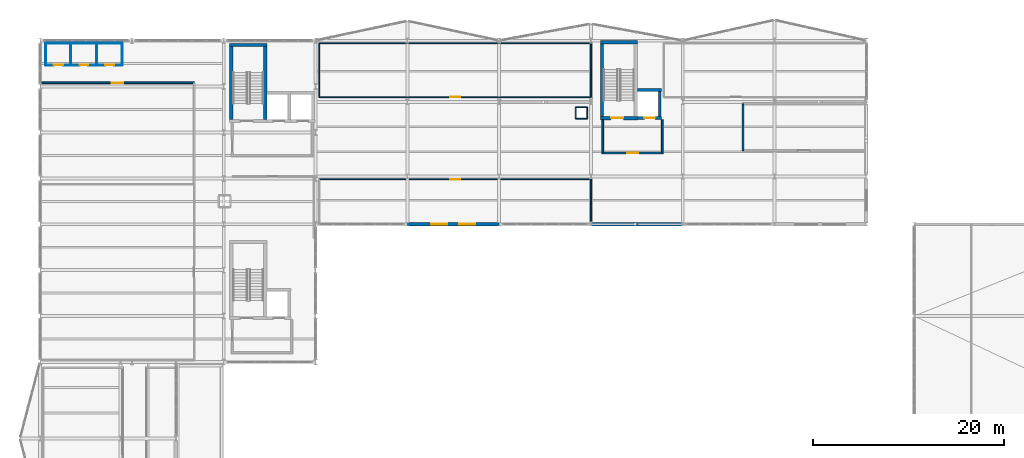
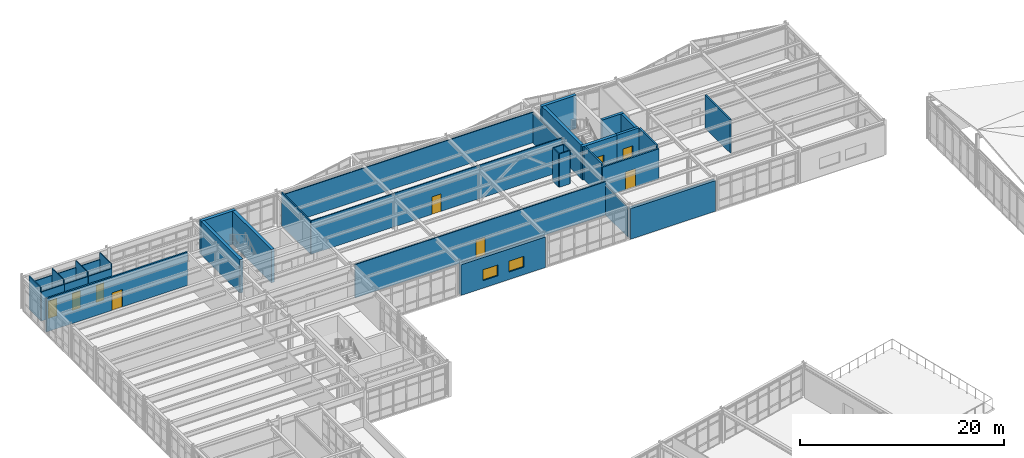
# One storey, part 57 of 64: 36 walls, 9 doors, 2 windows, 11 openings.
"""IFC4 building model written with IfcOpenShell, lengths in metres."""

from ifc_helpers import new_model, si_unit, direction, frame, frame_2d, origin, place, context, subcontext, project, spatial, rectangle, extrude, material, layer, layer_set, type_object, element, fill, save


model = new_model("IFC4")

# Units and contexts
model_context = context("Model", 3, precision=1e-05, world=origin(), true_north=direction((0.0, 1.0)))
body_context = subcontext(model_context, "Body", "Model", "MODEL_VIEW")
ifc_project = project(units=[si_unit("LENGTHUNIT", "METRE"), si_unit("AREAUNIT", "SQUARE_METRE"), si_unit("VOLUMEUNIT", "CUBIC_METRE"), si_unit("PLANEANGLEUNIT", "RADIAN"), si_unit("MASSUNIT", "GRAM", prefix="KILO")], contexts=[model_context])

# Site, building, storey
site_placement = place(None, origin())
site = spatial("IfcSite", under=ifc_project, at=site_placement, CompositionType="ELEMENT")
building_placement = place(site_placement, origin())
building = spatial("IfcBuilding", under=site, at=building_placement, Name="Nordkorset Police Headquarters", CompositionType="ELEMENT")
storey_placement = place(building_placement, frame((0.0, 0.0, 17.85009765625)))
storey = spatial("IfcBuildingStorey", under=building, at=storey_placement, Name="L04", CompositionType="ELEMENT", Elevation=17.85009765625)

# Wall, opening, door
ifc_material_1 = material(Name="Gypsum board", Category="gypsum")
ifc_layer_1 = layer(ifc_material_1, 0.179931640625, Name="Gypsum board")
ifc_layer_set_1 = layer_set([ifc_layer_1], Name="Gypsum board")
wall_type_1 = type_object("IfcWallType", Name="Wall_Comp_180", PredefinedType="PARTITIONING", material=ifc_layer_set_1)
wall_1_placement = place(storey_placement, frame((58.75, 105.06005859375, 0.0), z_axis=(0.0, 0.0, 1.0), x_axis=(1.0, 0.0, 0.0)))
wall_1 = element("IfcWall", 1, at=wall_1_placement, inside=storey, type_object=wall_type_1, Name="Firefighting Lobby EI 60 Wall K2 L04 S", PredefinedType="PARTITIONING", context=body_context, shape_type="SweptSolid", body=[
    extrude(rectangle(XDim=6.39990234375, YDim=0.179931640625, at=frame_2d((3.199951171875, 0.0))), origin(), (0.0, 0.0, 1.0), 3.60986328125),
])
opening_1_placement = place(wall_1_placement, frame((2.625, 0.0, 0.0)))
opening_1 = element("IfcOpeningElement", 2, at=opening_1_placement, cuts=wall_1, Name="Opening DR-01", PredefinedType="OPENING", context=body_context, shape_type="SweptSolid", body=[
    extrude(rectangle(XDim=1.14990234375, YDim=2.14990234375, at=frame_2d((0.574951171875, 1.074951171875))), frame((0.0, 0.10009765625, 0.0), z_axis=(0.0, -1.0, 0.0), x_axis=(1.0, 0.0, 0.0)), (0.0, 0.0, 1.0), 0.199951171875),
])
ifc_material_2 = material(Name="Steel S355J2", Category="steel")
door_type_1 = type_object("IfcDoorType", Name="Door_LobbySingle_1150x2150", OperationType="NOTDEFINED", PredefinedType="DOOR", material=ifc_material_2)
door_1_placement = place(opening_1_placement, frame((1.14990234375, 0.0, 0.0), z_axis=(0.0, 0.0, 1.0), x_axis=(-1.0, 0.0, 0.0)))
door_1 = element("IfcDoor", 3, at=door_1_placement, inside=storey, type_object=door_type_1, Name="Firefighting Lobby Smoke Door K2 L04 S", OperationType="SINGLE_SWING_LEFT", OverallHeight=2.14990234375, OverallWidth=1.14990234375, PredefinedType="DOOR", context=body_context, shape_type="SweptSolid", body=[
    extrude(rectangle(XDim=1.14990234375, YDim=2.14990234375, at=frame_2d((0.574951171875, 1.074951171875))), frame((0.0, 0.02490234375, 0.0), z_axis=(0.0, -1.0, 0.0), x_axis=(1.0, 0.0, 0.0)), (0.0, 0.0, 1.0), 0.050048828125),
])
fill(opening_1, door_1)

# Walls
for number, where, z_axis, x_axis, name in (
    (4, (58.840087890625, 105.14990234375, 0.0), (0.0, 0.0, 1.0), (0.0, 1.0, 0.0), "Firefighting Lobby EI 60 Wall K2 L04 W"),
    (5, (65.06005859375, 105.14990234375, 0.0), (0.0, 0.0, 1.0), (0.0, 1.0, 0.0), "Firefighting Lobby EI 60 Wall K2 L04 E"),
):
    element("IfcWall", number, at=place(storey_placement, frame(where, z_axis=z_axis, x_axis=x_axis)), inside=storey, type_object=wall_type_1, Name=name, PredefinedType="PARTITIONING", context=body_context, shape_type="SweptSolid", body=[
        extrude(rectangle(XDim=3.375, YDim=0.179931640625, at=frame_2d((1.6875, 0.0))), origin(), (0.0, 0.0, 1.0), 3.989990234375),
    ])

# Wall, opening, door
wall_2_placement = place(storey_placement, frame((16.10009765625, 112.39990234375, 0.0), z_axis=(0.0, 0.0, 1.0), x_axis=(-1.0, 0.0, 0.0)))
wall_2 = element("IfcWall", 6, at=wall_2_placement, inside=storey, type_object=wall_type_1, Name="Interior Partition Wall Secure Intelligence Briefing Room", PredefinedType="PARTITIONING", context=body_context, shape_type="SweptSolid", body=[
    extrude(rectangle(XDim=16.01513671875, YDim=0.179931640625, at=frame_2d((8.007568359375, 0.0))), origin(), (0.0, 0.0, 1.0), 3.989990234375),
])
opening_2_placement = place(wall_2_placement, frame((7.3974609375, 0.0, 0.0)))
opening_2 = element("IfcOpeningElement", 7, at=opening_2_placement, cuts=wall_2, Name="Opening DR-13", PredefinedType="OPENING", context=body_context, shape_type="SweptSolid", body=[
    extrude(rectangle(XDim=1.219970703125, YDim=2.10009765625, at=frame_2d((0.60986328125, 1.050048828125))), frame((0.0, 0.10009765625, 0.0), z_axis=(0.0, -1.0, 0.0), x_axis=(1.0, 0.0, 0.0)), (0.0, 0.0, 1.0), 0.199951171875),
])
ifc_material_3 = material(Name="Steel S355J2", Category="steel")
door_type_2 = type_object("IfcDoorType", Name="Door_FireComp_1220x2100", OperationType="NOTDEFINED", PredefinedType="DOOR", material=ifc_material_3)
door_2_placement = place(opening_2_placement, frame((1.219970703125, 0.0, 0.0), z_axis=(0.0, 0.0, 1.0), x_axis=(-1.0, 0.0, 0.0)))
door_2 = element("IfcDoor", 8, at=door_2_placement, inside=storey, type_object=door_type_2, Name="Interior Door Secure Intelligence Briefing Room", OperationType="SINGLE_SWING_RIGHT", OverallHeight=2.10009765625, OverallWidth=1.219970703125, PredefinedType="DOOR", context=body_context, shape_type="SweptSolid", body=[
    extrude(rectangle(XDim=1.219970703125, YDim=2.10009765625, at=frame_2d((0.60986328125, 1.050048828125))), frame((0.0, 0.02490234375, 0.0), z_axis=(0.0, -1.0, 0.0), x_axis=(1.0, 0.0, 0.0)), (0.0, 0.0, 1.0), 0.050048828125),
])
fill(opening_2, door_2)

# Walls
wall_3_placement = place(storey_placement, frame((73.5, 110.199951171875, 0.0), z_axis=(0.0, 0.0, 1.0), x_axis=(0.0, -1.0, 0.0)))
element("IfcWall", 9, at=wall_3_placement, inside=storey, type_object=wall_type_1, Name="Interior Partition Wall Active Case Dossier Registry", PredefinedType="PARTITIONING", context=body_context, shape_type="SweptSolid", body=[
    extrude(rectangle(XDim=4.89990234375, YDim=0.179931640625, at=frame_2d((2.449951171875, 0.0))), origin(), (0.0, 0.0, 1.0), 3.989990234375),
])
ifc_material_4 = material(Name="Concrete C35/45", Category="concrete")
ifc_layer_2 = layer(ifc_material_4, 0.35009765625, Name="Concrete C35/45")
ifc_layer_set_2 = layer_set([ifc_layer_2], Name="Concrete C35/45")
wall_type_2 = type_object("IfcWallType", Name="Wall_CoreShear_350", PredefinedType="SHEAR", material=ifc_layer_set_2)
wall_4_placement = place(storey_placement, frame((19.824951171875, 116.35009765625, 0.0), z_axis=(0.0, 0.0, 1.0), x_axis=(1.0, 0.0, 0.0)))
element("IfcWall", 10, at=wall_4_placement, inside=storey, type_object=wall_type_2, Name="Core K1 Stair Shaft North Shear Wall L04", PredefinedType="SHEAR", context=body_context, shape_type="SweptSolid", body=[
    extrude(rectangle(XDim=3.900146484375, YDim=0.35009765625, at=frame_2d((1.9501953125, 0.0))), origin(), (0.0, 0.0, 1.0), 3.989990234375),
])
for number, where, z_axis, x_axis, name in (
    (11, (20.0, 108.574951171875, 0.0), (0.0, 0.0, 1.0), (0.0, 1.0, 0.0), "Core K1 Stair Shaft West Shear Wall L04"),
    (12, (23.550048828125, 108.574951171875, 0.0), (0.0, 0.0, 1.0), (0.0, 1.0, 0.0), "Core K1 Stair Shaft East Shear Wall L04"),
):
    element("IfcWall", number, at=place(storey_placement, frame(where, z_axis=z_axis, x_axis=x_axis)), inside=storey, type_object=wall_type_2, Name=name, PredefinedType="SHEAR", context=body_context, shape_type="SweptSolid", body=[
        extrude(rectangle(XDim=7.60009765625, YDim=0.35009765625, at=frame_2d((3.800048828125, 0.0))), origin(), (0.0, 0.0, 1.0), 3.989990234375),
    ])

# Wall, opening, door
wall_5_placement = place(storey_placement, frame((58.574951171875, 108.699951171875, 0.0), z_axis=(0.0, 0.0, 1.0), x_axis=(1.0, 0.0, 0.0)))
wall_5 = element("IfcWall", 13, at=wall_5_placement, inside=storey, type_object=wall_type_2, Name="Core K2 Stair Shaft South Shear Wall L04", PredefinedType="SHEAR", context=body_context, shape_type="SweptSolid", body=[
    extrude(rectangle(XDim=3.900146484375, YDim=0.35009765625, at=frame_2d((1.9501953125, 0.0))), origin(), (0.0, 0.0, 1.0), 3.989990234375),
])
opening_3_placement = place(wall_5_placement, frame((1.125, 0.0, 0.0)))
opening_3 = element("IfcOpeningElement", 14, at=opening_3_placement, cuts=wall_5, Name="Opening DR-20", PredefinedType="OPENING", context=body_context, shape_type="SweptSolid", body=[
    extrude(rectangle(XDim=1.300048828125, YDim=2.14990234375, at=frame_2d((0.64990234375, 1.074951171875))), frame((0.0, 0.18505859375, 0.0), z_axis=(0.0, -1.0, 0.0), x_axis=(1.0, 0.0, 0.0)), (0.0, 0.0, 1.0), 0.3701171875),
])
ifc_material_5 = material(Name="Steel S355J2", Category="steel")
door_type_3 = type_object("IfcDoorType", Name="Door_Stair_1300x2150", OperationType="NOTDEFINED", PredefinedType="DOOR", material=ifc_material_5)
door_3_placement = place(opening_3_placement, frame((1.300048828125, 0.0, 0.0), z_axis=(0.0, 0.0, 1.0), x_axis=(-1.0, 0.0, 0.0)))
door_3 = element("IfcDoor", 15, at=door_3_placement, inside=storey, type_object=door_type_3, Name="Protected Stair Fire Door ST-02 L04", OperationType="SINGLE_SWING_RIGHT", OverallHeight=2.14990234375, OverallWidth=1.300048828125, PredefinedType="DOOR", context=body_context, shape_type="SweptSolid", body=[
    extrude(rectangle(XDim=1.300048828125, YDim=2.14990234375, at=frame_2d((0.64990234375, 1.074951171875))), frame((0.0, 0.02490234375, 0.0), z_axis=(0.0, -1.0, 0.0), x_axis=(1.0, 0.0, 0.0)), (0.0, 0.0, 1.0), 0.050048828125),
])
fill(opening_3, door_3)

# Walls
wall_6_placement = place(storey_placement, frame((58.574951171875, 116.64990234375, 0.0), z_axis=(0.0, 0.0, 1.0), x_axis=(1.0, 0.0, 0.0)))
element("IfcWall", 16, at=wall_6_placement, inside=storey, type_object=wall_type_2, Name="Core K2 Stair Shaft North Shear Wall L04", PredefinedType="SHEAR", context=body_context, shape_type="SweptSolid", body=[
    extrude(rectangle(XDim=3.900146484375, YDim=0.35009765625, at=frame_2d((1.9501953125, 0.0))), origin(), (0.0, 0.0, 1.0), 3.989990234375),
])
wall_7_placement = place(storey_placement, frame((58.75, 108.875, 0.0), z_axis=(0.0, 0.0, 1.0), x_axis=(0.0, 1.0, 0.0)))
element("IfcWall", 17, at=wall_7_placement, inside=storey, type_object=wall_type_2, Name="Core K2 Stair Shaft West Shear Wall L04", PredefinedType="SHEAR", context=body_context, shape_type="SweptSolid", body=[
    extrude(rectangle(XDim=7.60009765625, YDim=0.35009765625, at=frame_2d((3.800048828125, 0.0))), origin(), (0.0, 0.0, 1.0), 3.989990234375),
])

# Wall, openings, windows
ifc_material_6 = material(Name="Precast concrete C40/50", Category="concrete")
ifc_layer_3 = layer(ifc_material_6, 0.360107421875, Name="Precast concrete C40/50")
ifc_layer_set_3 = layer_set([ifc_layer_3], Name="Precast concrete C40/50")
wall_type_3 = type_object("IfcWallType", Name="Wall_ExtPrecast_360", PredefinedType="SOLIDWALL", material=ifc_layer_set_3)
wall_8_placement = place(storey_placement, frame((38.407958984375, 97.60009765625, 0.0), z_axis=(0.0, 0.0, 1.0), x_axis=(1.0, 0.0, 0.0)))
wall_8 = element("IfcWall", 18, at=wall_8_placement, inside=storey, type_object=wall_type_3, Name="Exterior Insulated Precast Wall L04 V2S-1", PredefinedType="SOLIDWALL", context=body_context, shape_type="SweptSolid", body=[
    extrude(rectangle(XDim=9.583984375, YDim=0.360107421875, at=frame_2d((4.7919921875, 0.0))), origin(), (0.0, 0.0, 1.0), 3.65478515625),
])
opening_4_placement = place(wall_8_placement, frame((2.475341796875, 0.0, 0.89990234375)))
opening_4 = element("IfcOpeningElement", 19, at=opening_4_placement, cuts=wall_8, Name="Opening WN-35", PredefinedType="OPENING", context=body_context, shape_type="SweptSolid", body=[
    extrude(rectangle(XDim=1.699951171875, YDim=1.300048828125, at=frame_2d((0.85009765625, 0.64990234375))), frame((0.0, 0.18994140625, 0.0), z_axis=(0.0, -1.0, 0.0), x_axis=(1.0, 0.0, 0.0)), (0.0, 0.0, 1.0), 0.380126953125),
])
opening_5_placement = place(wall_8_placement, frame((5.40869140625, 0.0, 0.89990234375)))
opening_5 = element("IfcOpeningElement", 20, at=opening_5_placement, cuts=wall_8, Name="Opening WN-35", PredefinedType="OPENING", context=body_context, shape_type="SweptSolid", body=[
    extrude(rectangle(XDim=1.699951171875, YDim=1.300048828125, at=frame_2d((0.85009765625, 0.64990234375))), frame((0.0, 0.18994140625, 0.0), z_axis=(0.0, -1.0, 0.0), x_axis=(1.0, 0.0, 0.0)), (0.0, 0.0, 1.0), 0.380126953125),
])
ifc_material_7 = material(Name="Low-iron triple glazing", Category="glass")
window_type = type_object("IfcWindowType", Name="Win_1700x1300", PartitioningType="SINGLE_PANEL", PredefinedType="WINDOW", material=ifc_material_7)
window_1_placement = place(opening_4_placement, origin())
window_1 = element("IfcWindow", 21, at=window_1_placement, inside=storey, type_object=window_type, Name="Triple-Glazed Exterior Window L04 V2S-1-1", OverallHeight=1.300048828125, OverallWidth=1.699951171875, PartitioningType="SINGLE_PANEL", PredefinedType="WINDOW", context=body_context, shape_type="SweptSolid", body=[
    extrude(rectangle(XDim=1.699951171875, YDim=1.300048828125, at=frame_2d((0.85009765625, 0.64990234375))), frame((0.0, 0.030029296875, 0.0), z_axis=(0.0, -1.0, 0.0), x_axis=(1.0, 0.0, 0.0)), (0.0, 0.0, 1.0), 0.06005859375),
])
fill(opening_4, window_1)
window_2_placement = place(opening_5_placement, origin())
window_2 = element("IfcWindow", 22, at=window_2_placement, inside=storey, type_object=window_type, Name="Triple-Glazed Exterior Window L04 V2S-1-2", OverallHeight=1.300048828125, OverallWidth=1.699951171875, PartitioningType="SINGLE_PANEL", PredefinedType="WINDOW", context=body_context, shape_type="SweptSolid", body=[
    extrude(rectangle(XDim=1.699951171875, YDim=1.300048828125, at=frame_2d((0.85009765625, 0.64990234375))), frame((0.0, 0.030029296875, 0.0), z_axis=(0.0, -1.0, 0.0), x_axis=(1.0, 0.0, 0.0)), (0.0, 0.0, 1.0), 0.06005859375),
])
fill(opening_5, window_2)

# Wall
wall_9_placement = place(storey_placement, frame((57.60791015625, 97.60009765625, 0.0), z_axis=(0.0, 0.0, 1.0), x_axis=(1.0, 0.0, 0.0)))
element("IfcWall", 23, at=wall_9_placement, inside=storey, type_object=wall_type_3, Name="Exterior Insulated Precast Wall L04 V2S-3", PredefinedType="SOLIDWALL", context=body_context, shape_type="SweptSolid", body=[
    extrude(rectangle(XDim=9.583984375, YDim=0.360107421875, at=frame_2d((4.7919921875, 0.0))), origin(), (0.0, 0.0, 1.0), 3.65478515625),
])

# Wall, opening, door
ifc_material_8 = material(Name="Gypsum board", Category="gypsum")
ifc_layer_4 = layer(ifc_material_8, 0.10009765625, Name="Gypsum board")
ifc_layer_set_4 = layer_set([ifc_layer_4], Name="Gypsum board")
wall_type_4 = type_object("IfcWallType", Name="Wall_Part_100", PredefinedType="PARTITIONING", material=ifc_layer_set_4)
wall_10_placement = place(storey_placement, frame((0.60009765625, 114.25, 0.0), z_axis=(0.0, 0.0, 1.0), x_axis=(1.0, 0.0, 0.0)))
wall_10 = element("IfcWall", 24, at=wall_10_placement, inside=storey, type_object=wall_type_4, Name="Interior Partition Wall Accessible WC L04W", PredefinedType="PARTITIONING", context=body_context, shape_type="SweptSolid", body=[
    extrude(rectangle(XDim=2.599853515625, YDim=0.10009765625, at=frame_2d((1.2998046875, 0.0))), origin(), (0.0, 0.0, 1.0), 3.469970703125),
])
opening_6_placement = place(wall_10_placement, frame((0.800048828125, 0.0, 0.0)))
opening_6 = element("IfcOpeningElement", 25, at=opening_6_placement, cuts=wall_10, Name="Opening DR-23", PredefinedType="OPENING", context=body_context, shape_type="SweptSolid", body=[
    extrude(rectangle(XDim=1.0, YDim=2.080078125, at=frame_2d((0.5, 1.0400390625))), frame((0.0, 0.06005859375, 0.0), z_axis=(0.0, -1.0, 0.0), x_axis=(1.0, 0.0, 0.0)), (0.0, 0.0, 1.0), 0.1201171875),
])
ifc_material_9 = material(Name="Glulam GL30c", Category="wood")
door_type_4 = type_object("IfcDoorType", Name="Door_WCAccess_1000x2080", OperationType="NOTDEFINED", PredefinedType="DOOR", material=ifc_material_9)
door_4_placement = place(opening_6_placement, origin())
door_4 = element("IfcDoor", 26, at=door_4_placement, inside=storey, type_object=door_type_4, Name="Interior Door Accessible WC L04W", OperationType="SINGLE_SWING_LEFT", OverallHeight=2.080078125, OverallWidth=1.0, PredefinedType="DOOR", context=body_context, shape_type="SweptSolid", body=[
    extrude(rectangle(XDim=1.0, YDim=2.080078125, at=frame_2d((0.5, 1.0400390625))), frame((0.0, 0.02490234375, 0.0), z_axis=(0.0, -1.0, 0.0), x_axis=(1.0, 0.0, 0.0)), (0.0, 0.0, 1.0), 0.050048828125),
])
fill(opening_6, door_4)

# Walls
wall_11_placement = place(storey_placement, frame((3.199951171875, 114.25, 0.0), z_axis=(0.0, 0.0, 1.0), x_axis=(0.0, 1.0, 0.0)))
element("IfcWall", 27, at=wall_11_placement, inside=storey, type_object=wall_type_4, Name="Interior Partition Wall Accessible WC L04W", PredefinedType="PARTITIONING", context=body_context, shape_type="SweptSolid", body=[
    extrude(rectangle(XDim=2.300048828125, YDim=0.10009765625, at=frame_2d((1.14990234375, 0.0))), origin(), (0.0, 0.0, 1.0), 3.989990234375),
])
wall_12_placement = place(storey_placement, frame((3.199951171875, 116.550048828125, 0.0), z_axis=(0.0, 0.0, 1.0), x_axis=(-1.0, 0.0, 0.0)))
element("IfcWall", 28, at=wall_12_placement, inside=storey, type_object=wall_type_4, Name="Interior Partition Wall Accessible WC L04W", PredefinedType="PARTITIONING", context=body_context, shape_type="SweptSolid", body=[
    extrude(rectangle(XDim=2.599853515625, YDim=0.10009765625, at=frame_2d((1.2998046875, 0.0))), origin(), (0.0, 0.0, 1.0), 3.169921875),
])
wall_13_placement = place(storey_placement, frame((0.60009765625, 116.550048828125, 0.0), z_axis=(0.0, 0.0, 1.0), x_axis=(0.0, -1.0, 0.0)))
element("IfcWall", 29, at=wall_13_placement, inside=storey, type_object=wall_type_4, Name="Interior Partition Wall Accessible WC L04W", PredefinedType="PARTITIONING", context=body_context, shape_type="SweptSolid", body=[
    extrude(rectangle(XDim=2.300048828125, YDim=0.10009765625, at=frame_2d((1.14990234375, 0.0))), origin(), (0.0, 0.0, 1.0), 3.989990234375),
])

# Wall, opening, door
wall_14_placement = place(storey_placement, frame((3.2451171875, 114.25, 0.0), z_axis=(0.0, 0.0, 1.0), x_axis=(1.0, 0.0, 0.0)))
wall_14 = element("IfcWall", 30, at=wall_14_placement, inside=storey, type_object=wall_type_4, Name="Interior Partition Wall Staff Female WC L04W", PredefinedType="PARTITIONING", context=body_context, shape_type="SweptSolid", body=[
    extrude(rectangle(XDim=2.65478515625, YDim=0.10009765625, at=frame_2d((1.327392578125, 0.0))), origin(), (0.0, 0.0, 1.0), 3.469970703125),
])
opening_7_placement = place(wall_14_placement, frame((0.867431640625, 0.0, 0.0)))
opening_7 = element("IfcOpeningElement", 31, at=opening_7_placement, cuts=wall_14, Name="Opening DR-21", PredefinedType="OPENING", context=body_context, shape_type="SweptSolid", body=[
    extrude(rectangle(XDim=0.919921875, YDim=2.080078125, at=frame_2d((0.4599609375, 1.0400390625))), frame((0.0, 0.06005859375, 0.0), z_axis=(0.0, -1.0, 0.0), x_axis=(1.0, 0.0, 0.0)), (0.0, 0.0, 1.0), 0.1201171875),
])
ifc_material_10 = material(Name="Glulam GL30c", Category="wood")
door_type_5 = type_object("IfcDoorType", Name="Door_WCStaff_920x2080", OperationType="NOTDEFINED", PredefinedType="DOOR", material=ifc_material_10)
door_5_placement = place(opening_7_placement, frame((0.919921875, 0.0, 0.0), z_axis=(0.0, 0.0, 1.0), x_axis=(-1.0, 0.0, 0.0)))
door_5 = element("IfcDoor", 32, at=door_5_placement, inside=storey, type_object=door_type_5, Name="Interior Door Staff Female WC L04W", OperationType="SINGLE_SWING_RIGHT", OverallHeight=2.080078125, OverallWidth=0.919921875, PredefinedType="DOOR", context=body_context, shape_type="SweptSolid", body=[
    extrude(rectangle(XDim=0.919921875, YDim=2.080078125, at=frame_2d((0.4599609375, 1.0400390625))), frame((0.0, 0.02490234375, 0.0), z_axis=(0.0, -1.0, 0.0), x_axis=(1.0, 0.0, 0.0)), (0.0, 0.0, 1.0), 0.050048828125),
])
fill(opening_7, door_5)

# Walls
wall_15_placement = place(storey_placement, frame((5.89990234375, 114.25, 0.0), z_axis=(0.0, 0.0, 1.0), x_axis=(0.0, 1.0, 0.0)))
element("IfcWall", 33, at=wall_15_placement, inside=storey, type_object=wall_type_4, Name="Interior Partition Wall Staff Female WC L04W", PredefinedType="PARTITIONING", context=body_context, shape_type="SweptSolid", body=[
    extrude(rectangle(XDim=2.300048828125, YDim=0.10009765625, at=frame_2d((1.14990234375, 0.0))), origin(), (0.0, 0.0, 1.0), 3.989990234375),
])
wall_16_placement = place(storey_placement, frame((5.89990234375, 116.550048828125, 0.0), z_axis=(0.0, 0.0, 1.0), x_axis=(-1.0, 0.0, 0.0)))
element("IfcWall", 34, at=wall_16_placement, inside=storey, type_object=wall_type_4, Name="Interior Partition Wall Staff Female WC L04W", PredefinedType="PARTITIONING", context=body_context, shape_type="SweptSolid", body=[
    extrude(rectangle(XDim=2.65478515625, YDim=0.10009765625, at=frame_2d((1.327392578125, 0.0))), origin(), (0.0, 0.0, 1.0), 3.169921875),
])

# Wall, opening, door
wall_17_placement = place(storey_placement, frame((5.945068359375, 114.25, 0.0), z_axis=(0.0, 0.0, 1.0), x_axis=(1.0, 0.0, 0.0)))
wall_17 = element("IfcWall", 35, at=wall_17_placement, inside=storey, type_object=wall_type_4, Name="Interior Partition Wall Staff Male WC L04W", PredefinedType="PARTITIONING", context=body_context, shape_type="SweptSolid", body=[
    extrude(rectangle(XDim=2.655029296875, YDim=0.10009765625, at=frame_2d((1.32763671875, 0.0))), origin(), (0.0, 0.0, 1.0), 3.469970703125),
])
opening_8_placement = place(wall_17_placement, frame((0.867431640625, 0.0, 0.0)))
opening_8 = element("IfcOpeningElement", 36, at=opening_8_placement, cuts=wall_17, Name="Opening DR-21", PredefinedType="OPENING", context=body_context, shape_type="SweptSolid", body=[
    extrude(rectangle(XDim=0.919921875, YDim=2.080078125, at=frame_2d((0.4599609375, 1.0400390625))), frame((0.0, 0.06005859375, 0.0), z_axis=(0.0, -1.0, 0.0), x_axis=(1.0, 0.0, 0.0)), (0.0, 0.0, 1.0), 0.1201171875),
])
door_6_placement = place(opening_8_placement, origin())
door_6 = element("IfcDoor", 37, at=door_6_placement, inside=storey, type_object=door_type_5, Name="Interior Door Staff Male WC L04W", OperationType="SINGLE_SWING_LEFT", OverallHeight=2.080078125, OverallWidth=0.919921875, PredefinedType="DOOR", context=body_context, shape_type="SweptSolid", body=[
    extrude(rectangle(XDim=0.919921875, YDim=2.080078125, at=frame_2d((0.4599609375, 1.0400390625))), frame((0.0, 0.02490234375, 0.0), z_axis=(0.0, -1.0, 0.0), x_axis=(1.0, 0.0, 0.0)), (0.0, 0.0, 1.0), 0.050048828125),
])
fill(opening_8, door_6)

# Walls
wall_18_placement = place(storey_placement, frame((8.60009765625, 114.25, 0.0), z_axis=(0.0, 0.0, 1.0), x_axis=(0.0, 1.0, 0.0)))
element("IfcWall", 38, at=wall_18_placement, inside=storey, type_object=wall_type_4, Name="Interior Partition Wall Staff Male WC L04W", PredefinedType="PARTITIONING", context=body_context, shape_type="SweptSolid", body=[
    extrude(rectangle(XDim=2.300048828125, YDim=0.10009765625, at=frame_2d((1.14990234375, 0.0))), origin(), (0.0, 0.0, 1.0), 3.989990234375),
])
wall_19_placement = place(storey_placement, frame((8.60009765625, 116.550048828125, 0.0), z_axis=(0.0, 0.0, 1.0), x_axis=(-1.0, 0.0, 0.0)))
element("IfcWall", 39, at=wall_19_placement, inside=storey, type_object=wall_type_4, Name="Interior Partition Wall Staff Male WC L04W", PredefinedType="PARTITIONING", context=body_context, shape_type="SweptSolid", body=[
    extrude(rectangle(XDim=2.655029296875, YDim=0.10009765625, at=frame_2d((1.32763671875, 0.0))), origin(), (0.0, 0.0, 1.0), 3.169921875),
])

# Wall, opening, door
ifc_material_11 = material(Name="Gypsum board", Category="gypsum")
ifc_layer_5 = layer(ifc_material_11, 0.1201171875, Name="Gypsum board")
ifc_layer_set_5 = layer_set([ifc_layer_5], Name="Gypsum board")
wall_type_5 = type_object("IfcWallType", Name="Wall_Part_120", PredefinedType="PARTITIONING", material=ifc_layer_set_5)
wall_20_placement = place(storey_placement, frame((29.199951171875, 110.89990234375, 0.0), z_axis=(0.0, 0.0, 1.0), x_axis=(1.0, 0.0, 0.0)))
wall_20 = element("IfcWall", 40, at=wall_20_placement, inside=storey, type_object=wall_type_5, Name="Interior Partition Wall Environmental and Maritime Crime Unit", PredefinedType="PARTITIONING", context=body_context, shape_type="SweptSolid", body=[
    extrude(rectangle(XDim=28.400146484375, YDim=0.1201171875, at=frame_2d((14.2001953125, 0.0))), origin(), (0.0, 0.0, 1.0), 3.989990234375),
])
opening_9_placement = place(wall_20_placement, frame((13.68994140625, 0.0, 0.0)))
opening_9 = element("IfcOpeningElement", 41, at=opening_9_placement, cuts=wall_20, Name="Opening DR-19", PredefinedType="OPENING", context=body_context, shape_type="SweptSolid", body=[
    extrude(rectangle(XDim=1.02001953125, YDim=2.10009765625, at=frame_2d((0.510009765625, 1.050048828125))), frame((0.0, 0.070068359375, 0.0), z_axis=(0.0, -1.0, 0.0), x_axis=(1.0, 0.0, 0.0)), (0.0, 0.0, 1.0), 0.14013671875),
])
ifc_material_12 = material(Name="Glulam GL30c", Category="wood")
door_type_6 = type_object("IfcDoorType", Name="Door_Office_1020x2100", OperationType="NOTDEFINED", PredefinedType="DOOR", material=ifc_material_12)
door_7_placement = place(opening_9_placement, origin())
door_7 = element("IfcDoor", 42, at=door_7_placement, inside=storey, type_object=door_type_6, Name="Interior Door Environmental and Maritime Crime Unit", OperationType="SINGLE_SWING_LEFT", OverallHeight=2.10009765625, OverallWidth=1.02001953125, PredefinedType="DOOR", context=body_context, shape_type="SweptSolid", body=[
    extrude(rectangle(XDim=1.02001953125, YDim=2.10009765625, at=frame_2d((0.510009765625, 1.050048828125))), frame((0.0, 0.02490234375, 0.0), z_axis=(0.0, -1.0, 0.0), x_axis=(1.0, 0.0, 0.0)), (0.0, 0.0, 1.0), 0.050048828125),
])
fill(opening_9, door_7)

# Walls
wall_21_placement = place(storey_placement, frame((57.60009765625, 110.89990234375, 0.0), z_axis=(0.0, 0.0, 1.0), x_axis=(0.0, 1.0, 0.0)))
element("IfcWall", 43, at=wall_21_placement, inside=storey, type_object=wall_type_5, Name="Interior Partition Wall Environmental and Maritime Crime Unit", PredefinedType="PARTITIONING", context=body_context, shape_type="SweptSolid", body=[
    extrude(rectangle(XDim=5.650146484375, YDim=0.1201171875, at=frame_2d((2.8251953125, 0.0))), origin(), (0.0, 0.0, 1.0), 3.52978515625),
])
wall_22_placement = place(storey_placement, frame((57.60009765625, 116.550048828125, 0.0), z_axis=(0.0, 0.0, 1.0), x_axis=(-1.0, 0.0, 0.0)))
element("IfcWall", 44, at=wall_22_placement, inside=storey, type_object=wall_type_5, Name="Interior Partition Wall Environmental and Maritime Crime Unit", PredefinedType="PARTITIONING", context=body_context, shape_type="SweptSolid", body=[
    extrude(rectangle(XDim=28.400146484375, YDim=0.1201171875, at=frame_2d((14.2001953125, 0.0))), origin(), (0.0, 0.0, 1.0), 3.659912109375),
])
wall_23_placement = place(storey_placement, frame((29.199951171875, 116.550048828125, 0.0), z_axis=(0.0, 0.0, 1.0), x_axis=(0.0, -1.0, 0.0)))
element("IfcWall", 45, at=wall_23_placement, inside=storey, type_object=wall_type_5, Name="Interior Partition Wall Environmental and Maritime Crime Unit", PredefinedType="PARTITIONING", context=body_context, shape_type="SweptSolid", body=[
    extrude(rectangle(XDim=5.650146484375, YDim=0.1201171875, at=frame_2d((2.8251953125, 0.0))), origin(), (0.0, 0.0, 1.0), 3.989990234375),
])
wall_24_placement = place(storey_placement, frame((57.60009765625, 97.89990234375, 0.0), z_axis=(0.0, 0.0, 1.0), x_axis=(0.0, 1.0, 0.0)))
element("IfcWall", 46, at=wall_24_placement, inside=storey, type_object=wall_type_5, Name="Interior Partition Wall Strategic Crime Mapping Studio", PredefinedType="PARTITIONING", context=body_context, shape_type="SweptSolid", body=[
    extrude(rectangle(XDim=4.400146484375, YDim=0.1201171875, at=frame_2d((2.2001953125, 0.0))), origin(), (0.0, 0.0, 1.0), 3.52490234375),
])

# Wall, opening, door
wall_25_placement = place(storey_placement, frame((57.60009765625, 102.300048828125, 0.0), z_axis=(0.0, 0.0, 1.0), x_axis=(-1.0, 0.0, 0.0)))
wall_25 = element("IfcWall", 47, at=wall_25_placement, inside=storey, type_object=wall_type_5, Name="Interior Partition Wall Strategic Crime Mapping Studio", PredefinedType="PARTITIONING", context=body_context, shape_type="SweptSolid", body=[
    extrude(rectangle(XDim=28.400146484375, YDim=0.1201171875, at=frame_2d((14.2001953125, 0.0))), origin(), (0.0, 0.0, 1.0), 3.989990234375),
])
opening_10_placement = place(wall_25_placement, frame((13.68994140625, 0.0, 0.0)))
opening_10 = element("IfcOpeningElement", 48, at=opening_10_placement, cuts=wall_25, Name="Opening DR-19", PredefinedType="OPENING", context=body_context, shape_type="SweptSolid", body=[
    extrude(rectangle(XDim=1.02001953125, YDim=2.10009765625, at=frame_2d((0.510009765625, 1.050048828125))), frame((0.0, 0.070068359375, 0.0), z_axis=(0.0, -1.0, 0.0), x_axis=(1.0, 0.0, 0.0)), (0.0, 0.0, 1.0), 0.14013671875),
])
door_8_placement = place(opening_10_placement, origin())
door_8 = element("IfcDoor", 49, at=door_8_placement, inside=storey, type_object=door_type_6, Name="Interior Door Strategic Crime Mapping Studio", OperationType="SINGLE_SWING_LEFT", OverallHeight=2.10009765625, OverallWidth=1.02001953125, PredefinedType="DOOR", context=body_context, shape_type="SweptSolid", body=[
    extrude(rectangle(XDim=1.02001953125, YDim=2.10009765625, at=frame_2d((0.510009765625, 1.050048828125))), frame((0.0, 0.02490234375, 0.0), z_axis=(0.0, -1.0, 0.0), x_axis=(1.0, 0.0, 0.0)), (0.0, 0.0, 1.0), 0.050048828125),
])
fill(opening_10, door_8)

# Walls
ifc_material_13 = material(Name="Gypsum board", Category="gypsum")
ifc_layer_6 = layer(ifc_material_13, 0.125, Name="Gypsum board")
ifc_layer_set_6 = layer_set([ifc_layer_6], Name="Gypsum board")
wall_type_6 = type_object("IfcWallType", Name="Wall_Riser_125", PredefinedType="PARTITIONING", material=ifc_layer_set_6)
wall_26_placement = place(storey_placement, frame((56.0, 108.64990234375, 0.0), z_axis=(0.0, 0.0, 1.0), x_axis=(1.0, 0.0, 0.0)))
element("IfcWall", 50, at=wall_26_placement, inside=storey, type_object=wall_type_6, Name="Service Riser Enclosure RSR-V2 L04", PredefinedType="PARTITIONING", context=body_context, shape_type="SweptSolid", body=[
    extrude(rectangle(XDim=1.199951171875, YDim=0.125, at=frame_2d((0.60009765625, 0.0))), origin(), (0.0, 0.0, 1.0), 3.989990234375),
])
wall_27_placement = place(storey_placement, frame((57.199951171875, 108.64990234375, 0.0), z_axis=(0.0, 0.0, 1.0), x_axis=(0.0, 1.0, 0.0)))
element("IfcWall", 51, at=wall_27_placement, inside=storey, type_object=wall_type_6, Name="Service Riser Enclosure RSR-V2 L04", PredefinedType="PARTITIONING", context=body_context, shape_type="SweptSolid", body=[
    extrude(rectangle(XDim=1.2001953125, YDim=0.125, at=frame_2d((0.60009765625, 0.0))), origin(), (0.0, 0.0, 1.0), 3.989990234375),
])
wall_28_placement = place(storey_placement, frame((57.199951171875, 109.85009765625, 0.0), z_axis=(0.0, 0.0, 1.0), x_axis=(-1.0, 0.0, 0.0)))
element("IfcWall", 52, at=wall_28_placement, inside=storey, type_object=wall_type_6, Name="Service Riser Enclosure RSR-V2 L04", PredefinedType="PARTITIONING", context=body_context, shape_type="SweptSolid", body=[
    extrude(rectangle(XDim=1.199951171875, YDim=0.125, at=frame_2d((0.60009765625, 0.0))), origin(), (0.0, 0.0, 1.0), 3.989990234375),
])
wall_29_placement = place(storey_placement, frame((56.0, 109.85009765625, 0.0), z_axis=(0.0, 0.0, 1.0), x_axis=(0.0, -1.0, 0.0)))
element("IfcWall", 53, at=wall_29_placement, inside=storey, type_object=wall_type_6, Name="Service Riser Enclosure RSR-V2 L04", PredefinedType="PARTITIONING", context=body_context, shape_type="SweptSolid", body=[
    extrude(rectangle(XDim=1.2001953125, YDim=0.125, at=frame_2d((0.60009765625, 0.0))), origin(), (0.0, 0.0, 1.0), 3.989990234375),
])

# Wall, opening, door
ifc_material_14 = material(Name="Concrete C35/45", Category="concrete")
ifc_layer_7 = layer(ifc_material_14, 0.300048828125, Name="Concrete C35/45")
ifc_layer_set_7 = layer_set([ifc_layer_7], Name="Concrete C35/45")
wall_type_7 = type_object("IfcWallType", Name="Wall_ShaftShear_300", PredefinedType="SHEAR", material=ifc_layer_set_7)
wall_30_placement = place(storey_placement, frame((62.47509765625, 108.699951171875, 0.0), z_axis=(0.0, 0.0, 1.0), x_axis=(1.0, 0.0, 0.0)))
wall_30 = element("IfcWall", 54, at=wall_30_placement, inside=storey, type_object=wall_type_7, Name="Lift Shaft LF-04 Front Shear Wall L04", PredefinedType="SHEAR", context=body_context, shape_type="SweptSolid", body=[
    extrude(rectangle(XDim=2.5, YDim=0.300048828125, at=frame_2d((1.25, 0.0))), origin(), (0.0, 0.0, 1.0), 3.989990234375),
])
opening_11_placement = place(wall_30_placement, frame((0.699951171875, 0.0, 0.0)))
opening_11 = element("IfcOpeningElement", 55, at=opening_11_placement, cuts=wall_30, Name="Opening LD-04", PredefinedType="OPENING", context=body_context, shape_type="SweptSolid", body=[
    extrude(rectangle(XDim=1.10009765625, YDim=2.10009765625, at=frame_2d((0.550048828125, 1.050048828125))), frame((0.0, 0.16015625, 0.0), z_axis=(0.0, -1.0, 0.0), x_axis=(1.0, 0.0, 0.0)), (0.0, 0.0, 1.0), 0.320068359375),
])
ifc_material_15 = material(Name="Steel S355J2", Category="steel")
door_type_7 = type_object("IfcDoorType", Name="Door_LiftLanding_1100x2100", OperationType="SLIDING_TO_LEFT", PredefinedType="DOOR", material=ifc_material_15)
door_9_placement = place(opening_11_placement, frame((1.10009765625, 0.0, 0.0), z_axis=(0.0, 0.0, 1.0), x_axis=(-1.0, 0.0, 0.0)))
door_9 = element("IfcDoor", 56, at=door_9_placement, inside=storey, type_object=door_type_7, Name="Lift Landing Sliding Door LF-04 L04", OperationType="SLIDING_TO_LEFT", OverallHeight=2.10009765625, OverallWidth=1.10009765625, PredefinedType="DOOR", context=body_context, shape_type="SweptSolid", body=[
    extrude(rectangle(XDim=1.10009765625, YDim=2.10009765625, at=frame_2d((0.550048828125, 1.050048828125))), frame((0.0, 0.02490234375, 0.0), z_axis=(0.0, -1.0, 0.0), x_axis=(1.0, 0.0, 0.0)), (0.0, 0.0, 1.0), 0.050048828125),
])
fill(opening_11, door_9)

# Walls
wall_31_placement = place(storey_placement, frame((62.47509765625, 111.64990234375, 0.0), z_axis=(0.0, 0.0, 1.0), x_axis=(1.0, 0.0, 0.0)))
element("IfcWall", 57, at=wall_31_placement, inside=storey, type_object=wall_type_7, Name="Lift Shaft LF-04 Rear Shear Wall L04", PredefinedType="SHEAR", context=body_context, shape_type="SweptSolid", body=[
    extrude(rectangle(XDim=2.5, YDim=0.300048828125, at=frame_2d((1.25, 0.0))), origin(), (0.0, 0.0, 1.0), 3.989990234375),
])
wall_32_placement = place(storey_placement, frame((64.800048828125, 108.85009765625, 0.0), z_axis=(0.0, 0.0, 1.0), x_axis=(0.0, 1.0, 0.0)))
element("IfcWall", 58, at=wall_32_placement, inside=storey, type_object=wall_type_7, Name="Lift Shaft LF-04 East Shear Wall L04", PredefinedType="SHEAR", context=body_context, shape_type="SweptSolid", body=[
    extrude(rectangle(XDim=2.64990234375, YDim=0.300048828125, at=frame_2d((1.324951171875, 0.0))), origin(), (0.0, 0.0, 1.0), 3.989990234375),
])

save(model, "model.ifc")
